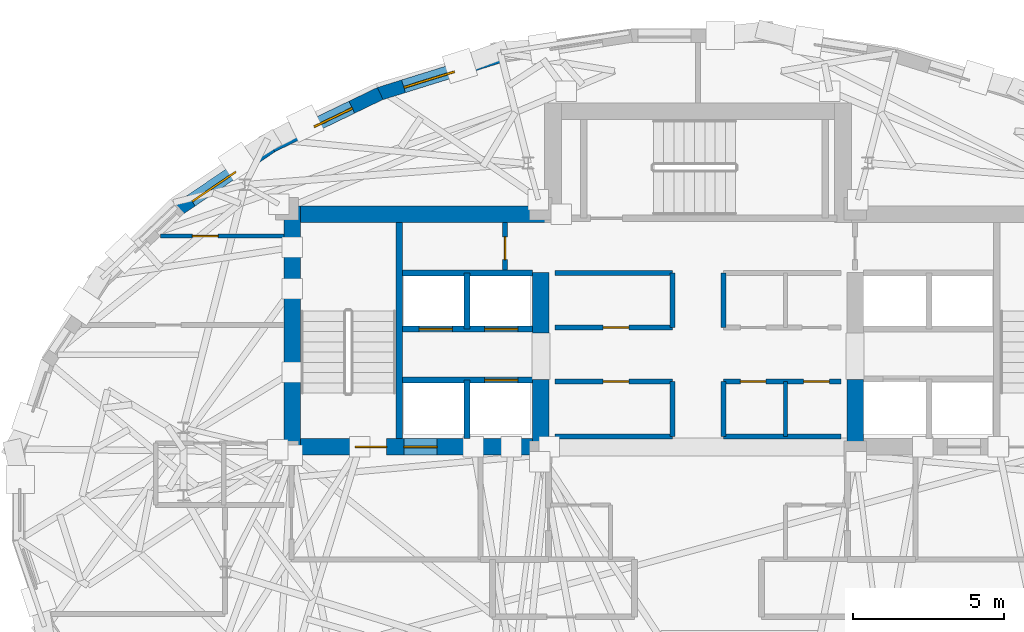
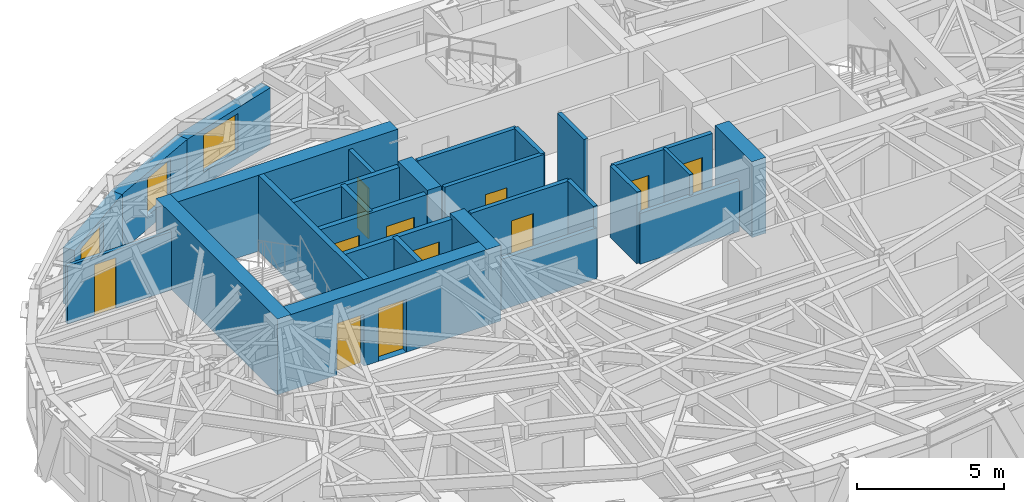
# One storey, part 8 of 14: 28 walls, 11 doors, 3 windows, 14 openings.
"""IFC4 building model written with IfcOpenShell, lengths in metres."""

from ifc_helpers import new_model, si_unit, direction, frame, frame_2d, origin, place, context, subcontext, project, spatial, rectangle, extrude, material, layer, layer_set, type_object, element, fill, save


model = new_model("IFC4")

# Units and contexts
model_context = context("Model", 3, precision=1e-05, world=origin(), true_north=direction((0.0, 1.0)))
body_context = subcontext(model_context, "Body", "Model", "MODEL_VIEW")
ifc_project = project(units=[si_unit("LENGTHUNIT", "METRE"), si_unit("AREAUNIT", "SQUARE_METRE"), si_unit("VOLUMEUNIT", "CUBIC_METRE"), si_unit("PLANEANGLEUNIT", "RADIAN"), si_unit("MASSUNIT", "GRAM", prefix="KILO")], contexts=[model_context])

# Site, building, storey
site_placement = place(None, origin())
site = spatial("IfcSite", under=ifc_project, at=site_placement, CompositionType="ELEMENT")
building_placement = place(site_placement, origin())
building = spatial("IfcBuilding", under=site, at=building_placement, Name="Keldmark Tower", CompositionType="ELEMENT")
storey_placement = place(building_placement, frame((0.0, 0.0, 225.75)))
storey = spatial("IfcBuildingStorey", under=building, at=storey_placement, Name="L63", CompositionType="ELEMENT", Elevation=225.75)

# Walls
ifc_material_1 = material(Name="Concrete C50/60", Category="concrete")
ifc_layer_1 = layer(ifc_material_1, 0.550048828125)
ifc_layer_set_1 = layer_set([ifc_layer_1], Name="Concrete C50/60")
wall_type_1 = type_object("IfcWallType", Name="High-Rise Core Shear Wall 550 mm", PredefinedType="SHEAR", material=ifc_layer_set_1)
wall_1_placement = place(storey_placement, frame((-13.425048828125, 1.300048828125, 0.0), z_axis=(0.0, 0.0, 1.0), x_axis=(0.0, 1.0, 0.0)))
element("IfcWall", 1, at=wall_1_placement, inside=storey, type_object=wall_type_1, Name="L63 West Core Outer Shear Wall", PredefinedType="SHEAR", context=body_context, shape_type="SweptSolid", body=[
    extrude(rectangle(XDim=8.25, YDim=0.550048828125, at=frame_2d((4.125, 0.0))), origin(), (0.0, 0.0, 1.0), 3.14990234375),
])
wall_2_placement = place(storey_placement, frame((-13.699951171875, 9.27490234375, 0.0), z_axis=(0.0, 0.0, 1.0), x_axis=(1.0, 0.0, 0.0)))
element("IfcWall", 2, at=wall_2_placement, inside=storey, type_object=wall_type_1, Name="L63 West Core North Shear Wall", PredefinedType="SHEAR", context=body_context, shape_type="SweptSolid", body=[
    extrude(rectangle(XDim=9.175048828125, YDim=0.550048828125, at=frame_2d((4.58740234375, 0.0))), origin(), (0.0, 0.0, 1.0), 3.14990234375),
])

# Wall, openings, doors
wall_3_placement = place(storey_placement, frame((-4.925048828125, 1.574951171875, 0.0), z_axis=(0.0, 0.0, 1.0), x_axis=(-1.0, 0.0, 0.0)))
wall_3 = element("IfcWall", 3, at=wall_3_placement, inside=storey, type_object=wall_type_1, Name="L63 West Core South Shear Wall", PredefinedType="SHEAR", context=body_context, shape_type="SweptSolid", body=[
    extrude(rectangle(XDim=8.77490234375, YDim=0.550048828125, at=frame_2d((4.387451171875, 0.0))), origin(), (0.0, 0.0, 1.0), 3.14990234375),
])
opening_1_placement = place(wall_3_placement, frame((5.375, 0.0, 0.0)))
opening_1 = element("IfcOpeningElement", 4, at=opening_1_placement, cuts=wall_3, Name="Opening D-ST105", PredefinedType="OPENING", context=body_context, shape_type="SweptSolid", body=[
    extrude(rectangle(XDim=1.050048828125, YDim=2.14990234375, at=frame_2d((0.52490234375, 1.074951171875))), frame((0.0, 0.284912109375, 0.0), z_axis=(0.0, -1.0, 0.0), x_axis=(1.0, 0.0, 0.0)), (0.0, 0.0, 1.0), 0.570068359375),
])
opening_2_placement = place(wall_3_placement, frame((3.705078125, 0.0, 0.0)))
opening_2 = element("IfcOpeningElement", 5, at=opening_2_placement, cuts=wall_3, Name="Opening LD-110", PredefinedType="OPENING", context=body_context, shape_type="SweptSolid", body=[
    extrude(rectangle(XDim=1.10009765625, YDim=2.199951171875, at=frame_2d((0.550048828125, 1.10009765625))), frame((0.0, 0.284912109375, 0.0), z_axis=(0.0, -1.0, 0.0), x_axis=(1.0, 0.0, 0.0)), (0.0, 0.0, 1.0), 0.570068359375),
])
ifc_material_2 = material(Name="Brushed Bronze Hoistway Sliding Leaf", Category="metal")
door_type_1 = type_object("IfcDoorType", Name="Lift Landing Sliding Door 1100x2200", OperationType="SLIDING_TO_LEFT", PredefinedType="DOOR", material=ifc_material_2)
door_1_placement = place(opening_2_placement, origin())
door_1 = element("IfcDoor", 6, at=door_1_placement, inside=storey, type_object=door_type_1, Name="L63 Lift Landing Sliding Door 1100x2200 LD-EL-FS1-L63", OperationType="SLIDING_TO_LEFT", OverallHeight=2.199951171875, OverallWidth=1.10009765625, PredefinedType="DOOR", context=body_context, shape_type="SweptSolid", body=[
    extrude(rectangle(XDim=1.10009765625, YDim=2.199951171875, at=frame_2d((0.550048828125, 1.10009765625))), frame((0.0, 0.02490234375, 0.0), z_axis=(0.0, -1.0, 0.0), x_axis=(1.0, 0.0, 0.0)), (0.0, 0.0, 1.0), 0.050048828125),
])
fill(opening_2, door_1)
ifc_material_3 = material(Name="Hollow Metal Fire-Rated Door Assembly", Category="metal")
door_type_2 = type_object("IfcDoorType", Name="Stair Fire Door 1050x2150", OperationType="NOTDEFINED", PredefinedType="DOOR", material=ifc_material_3)
door_2_placement = place(opening_1_placement, origin())
door_2 = element("IfcDoor", 7, at=door_2_placement, inside=storey, type_object=door_type_2, Name="L63 Stair Fire Door 1050x2150 D-ST1-L63", OperationType="SINGLE_SWING_RIGHT", OverallHeight=2.14990234375, OverallWidth=1.050048828125, PredefinedType="DOOR", context=body_context, shape_type="SweptSolid", body=[
    extrude(rectangle(XDim=1.050048828125, YDim=2.14990234375, at=frame_2d((0.52490234375, 1.074951171875))), frame((0.0, 0.02490234375, 0.0), z_axis=(0.0, -1.0, 0.0), x_axis=(1.0, 0.0, 0.0)), (0.0, 0.0, 1.0), 0.050048828125),
])
fill(opening_1, door_2)

# Walls
wall_4_placement = place(storey_placement, frame((-5.199951171875, 1.300048828125, 0.0), z_axis=(0.0, 0.0, 1.0), x_axis=(0.0, 1.0, 0.0)))
element("IfcWall", 8, at=wall_4_placement, inside=storey, type_object=wall_type_1, Name="L63 West Core Inner Shear Pier South", PredefinedType="SHEAR", context=body_context, shape_type="SweptSolid", body=[
    extrude(rectangle(XDim=2.5, YDim=0.550048828125, at=frame_2d((1.25, 0.0))), origin(), (0.0, 0.0, 1.0), 3.14990234375),
])
wall_5_placement = place(storey_placement, frame((-5.199951171875, 5.35009765625, 0.0), z_axis=(0.0, 0.0, 1.0), x_axis=(0.0, 1.0, 0.0)))
element("IfcWall", 9, at=wall_5_placement, inside=storey, type_object=wall_type_1, Name="L63 West Core Inner Shear Pier North", PredefinedType="SHEAR", context=body_context, shape_type="SweptSolid", body=[
    extrude(rectangle(XDim=2.0, YDim=0.550048828125, at=frame_2d((1.0, 0.0))), origin(), (0.0, 0.0, 1.0), 3.14990234375),
])
wall_6_placement = place(storey_placement, frame((5.199951171875, 1.300048828125, 0.0), z_axis=(0.0, 0.0, 1.0), x_axis=(0.0, 1.0, 0.0)))
element("IfcWall", 10, at=wall_6_placement, inside=storey, type_object=wall_type_1, Name="L63 East Core Inner Shear Pier South", PredefinedType="SHEAR", context=body_context, shape_type="SweptSolid", body=[
    extrude(rectangle(XDim=2.5, YDim=0.550048828125, at=frame_2d((1.25, 0.0))), origin(), (0.0, 0.0, 1.0), 3.14990234375),
])
ifc_material_4 = material(Name="Acoustic Gypsum Board Interior Partition", Category="gypsum")
ifc_layer_2 = layer(ifc_material_4, 0.1298828125)
ifc_layer_set_2 = layer_set([ifc_layer_2], Name="Acoustic Gypsum Board Interior Partition")
wall_type_2 = type_object("IfcWallType", Name="Interior Partition 130 mm", PredefinedType="PARTITIONING", material=ifc_layer_set_2)
wall_7_placement = place(storey_placement, frame((2.89990234375, 1.919921875, 0.0), z_axis=(0.0, 0.0, 1.0), x_axis=(0.0, 1.0, 0.0)))
element("IfcWall", 11, at=wall_7_placement, inside=storey, type_object=wall_type_2, Name="L63 Interior Partition 130 mm REC-LE-M", PredefinedType="PARTITIONING", context=body_context, shape_type="SweptSolid", body=[
    extrude(rectangle(XDim=1.820068359375, YDim=0.1298828125, at=frame_2d((0.91015625, 0.0))), origin(), (0.0, 0.0, 1.0), 2.969970703125),
])

# Wall, opening, door
wall_8_placement = place(storey_placement, frame((-17.784912109375, 8.550048828125, 0.0), z_axis=(0.0, 0.0, 1.0), x_axis=(1.0, 0.0, 0.0)))
wall_8 = element("IfcWall", 12, at=wall_8_placement, inside=storey, type_object=wall_type_2, Name="L63 Interior Partition 130 mm UD-NDIV2", PredefinedType="PARTITIONING", context=body_context, shape_type="SweptSolid", body=[
    extrude(rectangle(XDim=4.0849609375, YDim=0.1298828125, at=frame_2d((2.04248046875, 0.0))), origin(), (0.0, 0.0, 1.0), 2.423095703125),
])
opening_3_placement = place(wall_8_placement, frame((1.0537109375, 0.0, 0.0)))
opening_3 = element("IfcOpeningElement", 13, at=opening_3_placement, cuts=wall_8, Name="Opening D-IN085", PredefinedType="OPENING", context=body_context, shape_type="SweptSolid", body=[
    extrude(rectangle(XDim=0.85009765625, YDim=2.10009765625, at=frame_2d((0.425048828125, 1.050048828125))), frame((0.0, 0.074951171875, 0.0), z_axis=(0.0, -1.0, 0.0), x_axis=(1.0, 0.0, 0.0)), (0.0, 0.0, 1.0), 0.14990234375),
])
ifc_material_5 = material(Name="Painted Architectural Wood", Category="wood")
door_type_3 = type_object("IfcDoorType", Name="Interior Door 850x2100", OperationType="NOTDEFINED", PredefinedType="DOOR", material=ifc_material_5)
door_3_placement = place(opening_3_placement, origin())
door_3 = element("IfcDoor", 14, at=door_3_placement, inside=storey, type_object=door_type_3, Name="L63 Interior Door 850x2100 D-UD-BR2-L63", OperationType="SINGLE_SWING_RIGHT", OverallHeight=2.10009765625, OverallWidth=0.85009765625, PredefinedType="DOOR", context=body_context, shape_type="SweptSolid", body=[
    extrude(rectangle(XDim=0.85009765625, YDim=2.10009765625, at=frame_2d((0.425048828125, 1.050048828125))), frame((0.0, 0.02490234375, 0.0), z_axis=(0.0, -1.0, 0.0), x_axis=(1.0, 0.0, 0.0)), (0.0, 0.0, 1.0), 0.050048828125),
])
fill(opening_3, door_3)

# Wall
ifc_material_6 = material(Name="Type X Fire-Rated Gypsum Partition Assembly", Category="gypsum")
ifc_layer_3 = layer(ifc_material_6, 0.1650390625)
ifc_layer_set_3 = layer_set([ifc_layer_3], Name="Type X Fire-Rated Gypsum Partition Assembly")
wall_type_3 = type_object("IfcWallType", Name="Rated Partition 165 mm", PredefinedType="PARTITIONING", material=ifc_layer_set_3)
wall_9_placement = place(storey_placement, frame((-4.739990234375, 1.919921875, 0.0), z_axis=(0.0, 0.0, 1.0), x_axis=(1.0, 0.0, 0.0)))
element("IfcWall", 15, at=wall_9_placement, inside=storey, type_object=wall_type_3, Name="L63 Rated Partition 165 mm REC-LW-S", PredefinedType="PARTITIONING", context=body_context, shape_type="SweptSolid", body=[
    extrude(rectangle(XDim=3.889892578125, YDim=0.1650390625, at=frame_2d((1.94482421875, 0.0))), origin(), (0.0, 0.0, 1.0), 2.110107421875),
])

# Wall, opening, door
wall_10_placement = place(storey_placement, frame((-4.739990234375, 3.739990234375, 0.0), z_axis=(0.0, 0.0, 1.0), x_axis=(1.0, 0.0, 0.0)))
wall_10 = element("IfcWall", 16, at=wall_10_placement, inside=storey, type_object=wall_type_3, Name="L63 Rated Partition 165 mm REC-LW-N", PredefinedType="PARTITIONING", context=body_context, shape_type="SweptSolid", body=[
    extrude(rectangle(XDim=3.889892578125, YDim=0.1650390625, at=frame_2d((1.94482421875, 0.0))), origin(), (0.0, 0.0, 1.0), 2.969970703125),
])
opening_4_placement = place(wall_10_placement, frame((1.60009765625, 0.0, 0.0)))
opening_4 = element("IfcOpeningElement", 17, at=opening_4_placement, cuts=wall_10, Name="Opening D-SV085", PredefinedType="OPENING", context=body_context, shape_type="SweptSolid", body=[
    extrude(rectangle(XDim=0.85009765625, YDim=2.10009765625, at=frame_2d((0.425048828125, 1.050048828125))), frame((0.0, 0.092529296875, 0.0), z_axis=(0.0, -1.0, 0.0), x_axis=(1.0, 0.0, 0.0)), (0.0, 0.0, 1.0), 0.18505859375),
])
ifc_material_7 = material(Name="Painted Hollow Metal Door Assembly", Category="metal")
door_type_4 = type_object("IfcDoorType", Name="Service Door 850x2100", OperationType="NOTDEFINED", PredefinedType="DOOR", material=ifc_material_7)
door_4_placement = place(opening_4_placement, origin())
door_4 = element("IfcDoor", 18, at=door_4_placement, inside=storey, type_object=door_type_4, Name="L63 Service Door 850x2100 D-RECLW1-L63", OperationType="SINGLE_SWING_LEFT", OverallHeight=2.10009765625, OverallWidth=0.85009765625, PredefinedType="DOOR", context=body_context, shape_type="SweptSolid", body=[
    extrude(rectangle(XDim=0.85009765625, YDim=2.10009765625, at=frame_2d((0.425048828125, 1.050048828125))), frame((0.0, 0.02490234375, 0.0), z_axis=(0.0, -1.0, 0.0), x_axis=(1.0, 0.0, 0.0)), (0.0, 0.0, 1.0), 0.050048828125),
])
fill(opening_4, door_4)

# Walls
wall_11_placement = place(storey_placement, frame((-0.85009765625, 1.919921875, 0.0), z_axis=(0.0, 0.0, 1.0), x_axis=(0.0, 1.0, 0.0)))
element("IfcWall", 19, at=wall_11_placement, inside=storey, type_object=wall_type_3, Name="L63 Rated Partition 165 mm REC-LW-E", PredefinedType="PARTITIONING", context=body_context, shape_type="SweptSolid", body=[
    extrude(rectangle(XDim=1.820068359375, YDim=0.1650390625, at=frame_2d((0.91015625, 0.0))), origin(), (0.0, 0.0, 1.0), 2.969970703125),
])
wall_12_placement = place(storey_placement, frame((0.85009765625, 1.919921875, 0.0), z_axis=(0.0, 0.0, 1.0), x_axis=(1.0, 0.0, 0.0)))
element("IfcWall", 20, at=wall_12_placement, inside=storey, type_object=wall_type_3, Name="L63 Rated Partition 165 mm REC-LE-S", PredefinedType="PARTITIONING", context=body_context, shape_type="SweptSolid", body=[
    extrude(rectangle(XDim=3.889892578125, YDim=0.1650390625, at=frame_2d((1.94482421875, 0.0))), origin(), (0.0, 0.0, 1.0), 2.110107421875),
])

# Wall, openings, doors
wall_13_placement = place(storey_placement, frame((0.85009765625, 3.739990234375, 0.0), z_axis=(0.0, 0.0, 1.0), x_axis=(1.0, 0.0, 0.0)))
wall_13 = element("IfcWall", 21, at=wall_13_placement, inside=storey, type_object=wall_type_3, Name="L63 Rated Partition 165 mm REC-LE-N", PredefinedType="PARTITIONING", context=body_context, shape_type="SweptSolid", body=[
    extrude(rectangle(XDim=3.889892578125, YDim=0.1650390625, at=frame_2d((1.94482421875, 0.0))), origin(), (0.0, 0.0, 1.0), 2.969970703125),
])
opening_5_placement = place(wall_13_placement, frame((0.550048828125, 0.0, 0.0)))
opening_5 = element("IfcOpeningElement", 22, at=opening_5_placement, cuts=wall_13, Name="Opening D-SV085", PredefinedType="OPENING", context=body_context, shape_type="SweptSolid", body=[
    extrude(rectangle(XDim=0.85009765625, YDim=2.10009765625, at=frame_2d((0.425048828125, 1.050048828125))), frame((0.0, 0.092529296875, 0.0), z_axis=(0.0, -1.0, 0.0), x_axis=(1.0, 0.0, 0.0)), (0.0, 0.0, 1.0), 0.18505859375),
])
opening_6_placement = place(wall_13_placement, frame((2.64990234375, 0.0, 0.0)))
opening_6 = element("IfcOpeningElement", 23, at=opening_6_placement, cuts=wall_13, Name="Opening D-SV085", PredefinedType="OPENING", context=body_context, shape_type="SweptSolid", body=[
    extrude(rectangle(XDim=0.85009765625, YDim=2.10009765625, at=frame_2d((0.425048828125, 1.050048828125))), frame((0.0, 0.092529296875, 0.0), z_axis=(0.0, -1.0, 0.0), x_axis=(1.0, 0.0, 0.0)), (0.0, 0.0, 1.0), 0.18505859375),
])
door_5_placement = place(opening_5_placement, origin())
door_5 = element("IfcDoor", 24, at=door_5_placement, inside=storey, type_object=door_type_4, Name="L63 Service Door 850x2100 D-RECLE1-L63", OperationType="SINGLE_SWING_RIGHT", OverallHeight=2.10009765625, OverallWidth=0.85009765625, PredefinedType="DOOR", context=body_context, shape_type="SweptSolid", body=[
    extrude(rectangle(XDim=0.85009765625, YDim=2.10009765625, at=frame_2d((0.425048828125, 1.050048828125))), frame((0.0, 0.02490234375, 0.0), z_axis=(0.0, -1.0, 0.0), x_axis=(1.0, 0.0, 0.0)), (0.0, 0.0, 1.0), 0.050048828125),
])
fill(opening_5, door_5)
door_6_placement = place(opening_6_placement, origin())
door_6 = element("IfcDoor", 25, at=door_6_placement, inside=storey, type_object=door_type_4, Name="L63 Service Door 850x2100 D-RECLE2-L63", OperationType="SINGLE_SWING_RIGHT", OverallHeight=2.10009765625, OverallWidth=0.85009765625, PredefinedType="DOOR", context=body_context, shape_type="SweptSolid", body=[
    extrude(rectangle(XDim=0.85009765625, YDim=2.10009765625, at=frame_2d((0.425048828125, 1.050048828125))), frame((0.0, 0.02490234375, 0.0), z_axis=(0.0, -1.0, 0.0), x_axis=(1.0, 0.0, 0.0)), (0.0, 0.0, 1.0), 0.050048828125),
])
fill(opening_6, door_6)

# Wall
wall_14_placement = place(storey_placement, frame((0.85009765625, 1.919921875, 0.0), z_axis=(0.0, 0.0, 1.0), x_axis=(0.0, 1.0, 0.0)))
element("IfcWall", 26, at=wall_14_placement, inside=storey, type_object=wall_type_3, Name="L63 Rated Partition 165 mm REC-LE-W", PredefinedType="PARTITIONING", context=body_context, shape_type="SweptSolid", body=[
    extrude(rectangle(XDim=1.820068359375, YDim=0.1650390625, at=frame_2d((0.91015625, 0.0))), origin(), (0.0, 0.0, 1.0), 2.969970703125),
])

# Wall, opening, door
wall_15_placement = place(storey_placement, frame((-4.739990234375, 5.52001953125, 0.0), z_axis=(0.0, 0.0, 1.0), x_axis=(1.0, 0.0, 0.0)))
wall_15 = element("IfcWall", 27, at=wall_15_placement, inside=storey, type_object=wall_type_3, Name="L63 Rated Partition 165 mm REC-MW-S", PredefinedType="PARTITIONING", context=body_context, shape_type="SweptSolid", body=[
    extrude(rectangle(XDim=3.889892578125, YDim=0.1650390625, at=frame_2d((1.94482421875, 0.0))), origin(), (0.0, 0.0, 1.0), 2.969970703125),
])
opening_7_placement = place(wall_15_placement, frame((1.60009765625, 0.0, 0.0)))
opening_7 = element("IfcOpeningElement", 28, at=opening_7_placement, cuts=wall_15, Name="Opening D-SV085", PredefinedType="OPENING", context=body_context, shape_type="SweptSolid", body=[
    extrude(rectangle(XDim=0.85009765625, YDim=2.10009765625, at=frame_2d((0.425048828125, 1.050048828125))), frame((0.0, 0.092529296875, 0.0), z_axis=(0.0, -1.0, 0.0), x_axis=(1.0, 0.0, 0.0)), (0.0, 0.0, 1.0), 0.18505859375),
])
door_7_placement = place(opening_7_placement, origin())
door_7 = element("IfcDoor", 29, at=door_7_placement, inside=storey, type_object=door_type_4, Name="L63 Service Door 850x2100 D-RECMW1-L63", OperationType="SINGLE_SWING_LEFT", OverallHeight=2.10009765625, OverallWidth=0.85009765625, PredefinedType="DOOR", context=body_context, shape_type="SweptSolid", body=[
    extrude(rectangle(XDim=0.85009765625, YDim=2.10009765625, at=frame_2d((0.425048828125, 1.050048828125))), frame((0.0, 0.02490234375, 0.0), z_axis=(0.0, -1.0, 0.0), x_axis=(1.0, 0.0, 0.0)), (0.0, 0.0, 1.0), 0.050048828125),
])
fill(opening_7, door_7)

# Walls
wall_16_placement = place(storey_placement, frame((-4.739990234375, 7.330078125, 0.0), z_axis=(0.0, 0.0, 1.0), x_axis=(1.0, 0.0, 0.0)))
element("IfcWall", 30, at=wall_16_placement, inside=storey, type_object=wall_type_3, Name="L63 Rated Partition 165 mm REC-MW-N", PredefinedType="PARTITIONING", context=body_context, shape_type="SweptSolid", body=[
    extrude(rectangle(XDim=3.889892578125, YDim=0.1650390625, at=frame_2d((1.94482421875, 0.0))), origin(), (0.0, 0.0, 1.0), 2.969970703125),
])
for number, where, z_axis, x_axis, name in (
    (31, (-0.85009765625, 5.52001953125, 0.0), (0.0, 0.0, 1.0), (0.0, 1.0, 0.0), "L63 Rated Partition 165 mm REC-MW-E"),
    (32, (0.85009765625, 5.52001953125, 0.0), (0.0, 0.0, 1.0), (0.0, 1.0, 0.0), "L63 Rated Partition 165 mm REC-ME-W"),
):
    element("IfcWall", number, at=place(storey_placement, frame(where, z_axis=z_axis, x_axis=x_axis)), inside=storey, type_object=wall_type_3, Name=name, PredefinedType="PARTITIONING", context=body_context, shape_type="SweptSolid", body=[
        extrude(rectangle(XDim=1.81005859375, YDim=0.1650390625, at=frame_2d((0.905029296875, 0.0))), origin(), (0.0, 0.0, 1.0), 2.969970703125),
    ])

# Wall, opening, door
wall_17_placement = place(storey_placement, frame((-6.3798828125, 7.419921875, 0.0), z_axis=(0.0, 0.0, 1.0), x_axis=(0.0, 1.0, 0.0)))
wall_17 = element("IfcWall", 33, at=wall_17_placement, inside=storey, type_object=wall_type_3, Name="L63 Rated Partition 165 mm CS-NW-E", PredefinedType="PARTITIONING", context=body_context, shape_type="SweptSolid", body=[
    extrude(rectangle(XDim=1.580078125, YDim=0.1650390625, at=frame_2d((0.7900390625, 0.0))), origin(), (0.0, 0.0, 1.0), 2.969970703125),
])
opening_8_placement = place(wall_17_placement, frame((0.35009765625, 0.0, 0.0)))
opening_8 = element("IfcOpeningElement", 34, at=opening_8_placement, cuts=wall_17, Name="Opening D-RS075", PredefinedType="OPENING", context=body_context, shape_type="SweptSolid", body=[
    extrude(rectangle(XDim=0.75, YDim=2.10009765625, at=frame_2d((0.375, 1.050048828125))), frame((0.0, 0.092529296875, 0.0), z_axis=(0.0, -1.0, 0.0), x_axis=(1.0, 0.0, 0.0)), (0.0, 0.0, 1.0), 0.18505859375),
])
ifc_material_8 = material(Name="Galvanized Fire-Rated Access Leaf", Category="metal")
door_type_5 = type_object("IfcDoorType", Name="Riser Access Door 750x2100", OperationType="NOTDEFINED", PredefinedType="DOOR", material=ifc_material_8)
door_8_placement = place(opening_8_placement, origin())
door_8 = element("IfcDoor", 35, at=door_8_placement, inside=storey, type_object=door_type_5, Name="L63 Riser Access Door 750x2100 D-CSNW1-L63", OperationType="SINGLE_SWING_RIGHT", OverallHeight=2.10009765625, OverallWidth=0.75, PredefinedType="DOOR", context=body_context, shape_type="SweptSolid", body=[
    extrude(rectangle(XDim=0.75, YDim=2.10009765625, at=frame_2d((0.375, 1.050048828125))), frame((0.0, 0.02490234375, 0.0), z_axis=(0.0, -1.0, 0.0), x_axis=(1.0, 0.0, 0.0)), (0.0, 0.0, 1.0), 0.050048828125),
])
fill(opening_8, door_8)

ifc_material_9 = material(Name="Fire-Resistant Type X Gypsum Shaftliner Coreboard", Category="gypsum")
ifc_layer_4 = layer(ifc_material_9, 0.199951171875)
ifc_layer_set_4 = layer_set([ifc_layer_4], Name="Fire-Resistant Type X Gypsum Shaftliner Coreboard")
wall_type_4 = type_object("IfcWallType", Name="Shaft Wall 200 mm", PredefinedType="SOLIDWALL", material=ifc_layer_set_4)
wall_18_placement = place(storey_placement, frame((-9.780029296875, 3.780029296875, 0.0), z_axis=(0.0, 0.0, 1.0), x_axis=(1.0, 0.0, 0.0)))
wall_18 = element("IfcWall", 36, at=wall_18_placement, inside=storey, type_object=wall_type_4, Name="L63 Shaft Wall 200 mm HW-W-S", PredefinedType="SOLIDWALL", context=body_context, shape_type="SweptSolid", body=[
    extrude(rectangle(XDim=4.304931640625, YDim=0.199951171875, at=frame_2d((2.15234375, 0.0))), origin(), (0.0, 0.0, 1.0), 2.969970703125),
])
opening_9_placement = place(wall_18_placement, frame((2.719970703125, 0.0, 0.0)))
opening_9 = element("IfcOpeningElement", 37, at=opening_9_placement, cuts=wall_18, Name="Opening LD-110", PredefinedType="OPENING", context=body_context, shape_type="SweptSolid", body=[
    extrude(rectangle(XDim=1.10009765625, YDim=2.199951171875, at=frame_2d((0.550048828125, 1.10009765625))), frame((0.0, 0.10986328125, 0.0), z_axis=(0.0, -1.0, 0.0), x_axis=(1.0, 0.0, 0.0)), (0.0, 0.0, 1.0), 0.219970703125),
])
door_9_placement = place(opening_9_placement, origin())
door_9 = element("IfcDoor", 38, at=door_9_placement, inside=storey, type_object=door_type_1, Name="L63 Lift Landing Sliding Door 1100x2200 LD-EL-H3-L63", OperationType="SLIDING_TO_LEFT", OverallHeight=2.199951171875, OverallWidth=1.10009765625, PredefinedType="DOOR", context=body_context, shape_type="SweptSolid", body=[
    extrude(rectangle(XDim=1.10009765625, YDim=2.199951171875, at=frame_2d((0.550048828125, 1.10009765625))), frame((0.0, 0.02490234375, 0.0), z_axis=(0.0, -1.0, 0.0), x_axis=(1.0, 0.0, 0.0)), (0.0, 0.0, 1.0), 0.050048828125),
])
fill(opening_9, door_9)

# Wall
wall_19_placement = place(storey_placement, frame((-7.64990234375, 1.85009765625, 0.0), z_axis=(0.0, 0.0, 1.0), x_axis=(0.0, 1.0, 0.0)))
element("IfcWall", 39, at=wall_19_placement, inside=storey, type_object=wall_type_4, Name="L63 Shaft Wall 200 mm HW-W-M", PredefinedType="SOLIDWALL", context=body_context, shape_type="SweptSolid", body=[
    extrude(rectangle(XDim=1.929931640625, YDim=0.199951171875, at=frame_2d((0.96484375, 0.0))), origin(), (0.0, 0.0, 1.0), 2.969970703125),
])

# Wall, openings, doors
wall_20_placement = place(storey_placement, frame((-9.780029296875, 5.469970703125, 0.0), z_axis=(0.0, 0.0, 1.0), x_axis=(1.0, 0.0, 0.0)))
wall_20 = element("IfcWall", 40, at=wall_20_placement, inside=storey, type_object=wall_type_4, Name="L63 Shaft Wall 200 mm HW-W-N", PredefinedType="SOLIDWALL", context=body_context, shape_type="SweptSolid", body=[
    extrude(rectangle(XDim=4.304931640625, YDim=0.199951171875, at=frame_2d((2.15234375, 0.0))), origin(), (0.0, 0.0, 1.0), 2.969970703125),
])
opening_10_placement = place(wall_20_placement, frame((0.550048828125, 0.0, 0.0)))
opening_10 = element("IfcOpeningElement", 41, at=opening_10_placement, cuts=wall_20, Name="Opening LD-110", PredefinedType="OPENING", context=body_context, shape_type="SweptSolid", body=[
    extrude(rectangle(XDim=1.10009765625, YDim=2.199951171875, at=frame_2d((0.550048828125, 1.10009765625))), frame((0.0, 0.10986328125, 0.0), z_axis=(0.0, -1.0, 0.0), x_axis=(1.0, 0.0, 0.0)), (0.0, 0.0, 1.0), 0.219970703125),
])
opening_11_placement = place(wall_20_placement, frame((2.719970703125, 0.0, 0.0)))
opening_11 = element("IfcOpeningElement", 42, at=opening_11_placement, cuts=wall_20, Name="Opening LD-110", PredefinedType="OPENING", context=body_context, shape_type="SweptSolid", body=[
    extrude(rectangle(XDim=1.10009765625, YDim=2.199951171875, at=frame_2d((0.550048828125, 1.10009765625))), frame((0.0, 0.10986328125, 0.0), z_axis=(0.0, -1.0, 0.0), x_axis=(1.0, 0.0, 0.0)), (0.0, 0.0, 1.0), 0.219970703125),
])
door_10_placement = place(opening_10_placement, origin())
door_10 = element("IfcDoor", 43, at=door_10_placement, inside=storey, type_object=door_type_1, Name="L63 Lift Landing Sliding Door 1100x2200 LD-EL-H1-L63", OperationType="SLIDING_TO_LEFT", OverallHeight=2.199951171875, OverallWidth=1.10009765625, PredefinedType="DOOR", context=body_context, shape_type="SweptSolid", body=[
    extrude(rectangle(XDim=1.10009765625, YDim=2.199951171875, at=frame_2d((0.550048828125, 1.10009765625))), frame((0.0, 0.02490234375, 0.0), z_axis=(0.0, -1.0, 0.0), x_axis=(1.0, 0.0, 0.0)), (0.0, 0.0, 1.0), 0.050048828125),
])
fill(opening_10, door_10)
door_11_placement = place(opening_11_placement, origin())
door_11 = element("IfcDoor", 44, at=door_11_placement, inside=storey, type_object=door_type_1, Name="L63 Lift Landing Sliding Door 1100x2200 LD-EL-H2-L63", OperationType="SLIDING_TO_LEFT", OverallHeight=2.199951171875, OverallWidth=1.10009765625, PredefinedType="DOOR", context=body_context, shape_type="SweptSolid", body=[
    extrude(rectangle(XDim=1.10009765625, YDim=2.199951171875, at=frame_2d((0.550048828125, 1.10009765625))), frame((0.0, 0.02490234375, 0.0), z_axis=(0.0, -1.0, 0.0), x_axis=(1.0, 0.0, 0.0)), (0.0, 0.0, 1.0), 0.050048828125),
])
fill(opening_11, door_11)

# Walls
wall_21_placement = place(storey_placement, frame((-9.780029296875, 7.330078125, 0.0), z_axis=(0.0, 0.0, 1.0), x_axis=(1.0, 0.0, 0.0)))
element("IfcWall", 45, at=wall_21_placement, inside=storey, type_object=wall_type_4, Name="L63 Shaft Wall 200 mm HW-W-TOP", PredefinedType="SOLIDWALL", context=body_context, shape_type="SweptSolid", body=[
    extrude(rectangle(XDim=4.304931640625, YDim=0.199951171875, at=frame_2d((2.15234375, 0.0))), origin(), (0.0, 0.0, 1.0), 2.969970703125),
])
wall_22_placement = place(storey_placement, frame((-7.64990234375, 5.469970703125, 0.0), z_axis=(0.0, 0.0, 1.0), x_axis=(0.0, 1.0, 0.0)))
element("IfcWall", 46, at=wall_22_placement, inside=storey, type_object=wall_type_4, Name="L63 Shaft Wall 200 mm HW-W-NM", PredefinedType="SOLIDWALL", context=body_context, shape_type="SweptSolid", body=[
    extrude(rectangle(XDim=1.860107421875, YDim=0.199951171875, at=frame_2d((0.93017578125, 0.0))), origin(), (0.0, 0.0, 1.0), 2.969970703125),
])
ifc_material_10 = material(Name="Concrete C50/60", Category="concrete")
ifc_layer_5 = layer(ifc_material_10, 0.219970703125)
ifc_layer_set_5 = layer_set([ifc_layer_5], Name="Concrete C50/60")
wall_type_5 = type_object("IfcWallType", Name="Stair Core Shear Wall 220 mm", PredefinedType="SHEAR", material=ifc_layer_set_5)
wall_23_placement = place(storey_placement, frame((-9.889892578125, 1.85009765625, 0.0), z_axis=(0.0, 0.0, 1.0), x_axis=(0.0, 1.0, 0.0)))
element("IfcWall", 47, at=wall_23_placement, inside=storey, type_object=wall_type_5, Name="L63 West Stair Core Shear Wall", PredefinedType="SHEAR", context=body_context, shape_type="SweptSolid", body=[
    extrude(rectangle(XDim=7.14990234375, YDim=0.219970703125, at=frame_2d((3.574951171875, 0.0))), origin(), (0.0, 0.0, 1.0), 3.14990234375),
])

# Wall, opening, window
ifc_material_11 = material(Name="Ironspot Manganese Brick and Kasota Buff Limestone Spandrel Assembly", Category="masonry")
ifc_layer_6 = layer(ifc_material_11, 0.43994140625)
ifc_layer_set_6 = layer_set([ifc_layer_6], Name="Ironspot Manganese Brick and Kasota Buff Limestone Spandrel Assembly")
wall_type_6 = type_object("IfcWallType", Name="Tower Brick Pier and Spandrel Wall 440 mm", PredefinedType="STANDARD", material=ifc_layer_set_6)
wall_24_placement = place(storey_placement, frame((-10.5478515625, 13.255859375, 0.0), z_axis=(0.0, 0.0, 1.0), x_axis=(0.954643532685, 0.297751113352, 0.0)))
wall_24 = element("IfcWall", 48, at=wall_24_placement, inside=storey, type_object=wall_type_6, Name="L63 Exterior Brick and Spandrel Wall 10", PredefinedType="STANDARD", context=body_context, shape_type="SweptSolid", body=[
    extrude(rectangle(XDim=4.219482421875, YDim=0.43994140625, at=frame_2d((2.10986328125, 0.0))), origin(), (0.0, 0.0, 1.0), 2.3359375),
])
opening_12_placement = place(wall_24_placement, frame((0.840576171875, 0.0, 0.550048828125)))
opening_12 = element("IfcOpeningElement", 49, at=opening_12_placement, cuts=wall_24, Name="Opening W-05", PredefinedType="OPENING", context=body_context, shape_type="SweptSolid", body=[
    extrude(rectangle(XDim=1.75, YDim=1.550048828125, at=frame_2d((0.875, 0.77490234375))), frame((0.0, 0.22998046875, 0.0), z_axis=(0.0, -1.0, 0.0), x_axis=(1.0, 0.0, 0.0)), (0.0, 0.0, 1.0), 0.4599609375),
])
ifc_material_12 = material(Name="Thermally Broken Anodized Aluminum and Triple Low-E Argon Glazing", Category="aluminium")
window_type_1 = type_object("IfcWindowType", Name="Residential Deep-Set Window 1750x1550", PartitioningType="DOUBLE_PANEL_VERTICAL", PredefinedType="WINDOW", material=ifc_material_12)
window_1_placement = place(opening_12_placement, origin())
window_1 = element("IfcWindow", 50, at=window_1_placement, inside=storey, type_object=window_type_1, Name="L63 Deep-Set Window 10", OverallHeight=1.550048828125, OverallWidth=1.75, PartitioningType="SINGLE_PANEL", PredefinedType="WINDOW", context=body_context, shape_type="SweptSolid", body=[
    extrude(rectangle(XDim=1.75, YDim=1.550048828125, at=frame_2d((0.875, 0.77490234375))), frame((0.0, -0.010009765625, 0.0), z_axis=(0.0, -1.0, 0.0), x_axis=(1.0, 0.0, 0.0)), (0.0, 0.0, 1.0), 0.06005859375),
])
fill(opening_12, window_1)

wall_25_placement = place(storey_placement, frame((-14.1025390625, 11.534912109375, 0.0), z_axis=(0.0, 0.0, 1.0), x_axis=(0.900331335269, 0.435205108808, 0.0)))
wall_25 = element("IfcWall", 51, at=wall_25_placement, inside=storey, type_object=wall_type_6, Name="L63 Exterior Brick and Spandrel Wall 11", PredefinedType="STANDARD", context=body_context, shape_type="SweptSolid", body=[
    extrude(rectangle(XDim=3.98193359375, YDim=0.43994140625, at=frame_2d((1.990966796875, 0.0))), origin(), (0.0, 0.0, 1.0), 2.3359375),
])
opening_13_placement = place(wall_25_placement, frame((1.538818359375, 0.0, 0.550048828125)))
opening_13 = element("IfcOpeningElement", 52, at=opening_13_placement, cuts=wall_25, Name="Opening W-08", PredefinedType="OPENING", context=body_context, shape_type="SweptSolid", body=[
    extrude(rectangle(XDim=1.39990234375, YDim=1.550048828125, at=frame_2d((0.699951171875, 0.77490234375))), frame((0.0, 0.22998046875, 0.0), z_axis=(0.0, -1.0, 0.0), x_axis=(1.0, 0.0, 0.0)), (0.0, 0.0, 1.0), 0.4599609375),
])
ifc_material_13 = material(Name="Thermally Broken Anodized Aluminum and Triple Low-E Argon Glazing", Category="aluminium")
window_type_2 = type_object("IfcWindowType", Name="Residential Corner Punched Window 1400x1550", PartitioningType="SINGLE_PANEL", PredefinedType="WINDOW", material=ifc_material_13)
window_2_placement = place(opening_13_placement, origin())
window_2 = element("IfcWindow", 53, at=window_2_placement, inside=storey, type_object=window_type_2, Name="L63 Deep-Set Window 11", OverallHeight=1.550048828125, OverallWidth=1.39990234375, PartitioningType="SINGLE_PANEL", PredefinedType="WINDOW", context=body_context, shape_type="SweptSolid", body=[
    extrude(rectangle(XDim=1.39990234375, YDim=1.550048828125, at=frame_2d((0.699951171875, 0.77490234375))), frame((0.0, -0.010009765625, 0.0), z_axis=(0.0, -1.0, 0.0), x_axis=(1.0, 0.0, 0.0)), (0.0, 0.0, 1.0), 0.06005859375),
])
fill(opening_13, window_2)

wall_26_placement = place(storey_placement, frame((-17.17724609375, 9.44677734375, 0.0), z_axis=(0.0, 0.0, 1.0), x_axis=(0.827635686249, 0.561265686504, 0.0)))
wall_26 = element("IfcWall", 54, at=wall_26_placement, inside=storey, type_object=wall_type_6, Name="L63 Exterior Brick and Spandrel Wall 12", PredefinedType="STANDARD", context=body_context, shape_type="SweptSolid", body=[
    extrude(rectangle(XDim=3.748779296875, YDim=0.43994140625, at=frame_2d((1.87451171875, 0.0))), origin(), (0.0, 0.0, 1.0), 2.3359375),
])
opening_14_placement = place(wall_26_placement, frame((0.499755859375, 0.0, 0.550048828125)))
opening_14 = element("IfcOpeningElement", 55, at=opening_14_placement, cuts=wall_26, Name="Opening W-05", PredefinedType="OPENING", context=body_context, shape_type="SweptSolid", body=[
    extrude(rectangle(XDim=1.75, YDim=1.550048828125, at=frame_2d((0.875, 0.77490234375))), frame((0.0, 0.22998046875, 0.0), z_axis=(0.0, -1.0, 0.0), x_axis=(1.0, 0.0, 0.0)), (0.0, 0.0, 1.0), 0.4599609375),
])
window_3_placement = place(opening_14_placement, origin())
window_3 = element("IfcWindow", 56, at=window_3_placement, inside=storey, type_object=window_type_1, Name="L63 Deep-Set Window 12", OverallHeight=1.550048828125, OverallWidth=1.75, PartitioningType="SINGLE_PANEL", PredefinedType="WINDOW", context=body_context, shape_type="SweptSolid", body=[
    extrude(rectangle(XDim=1.75, YDim=1.550048828125, at=frame_2d((0.875, 0.77490234375))), frame((0.0, -0.010009765625, 0.0), z_axis=(0.0, -1.0, 0.0), x_axis=(1.0, 0.0, 0.0)), (0.0, 0.0, 1.0), 0.06005859375),
])
fill(opening_14, window_3)

save(model, "model.ifc")
